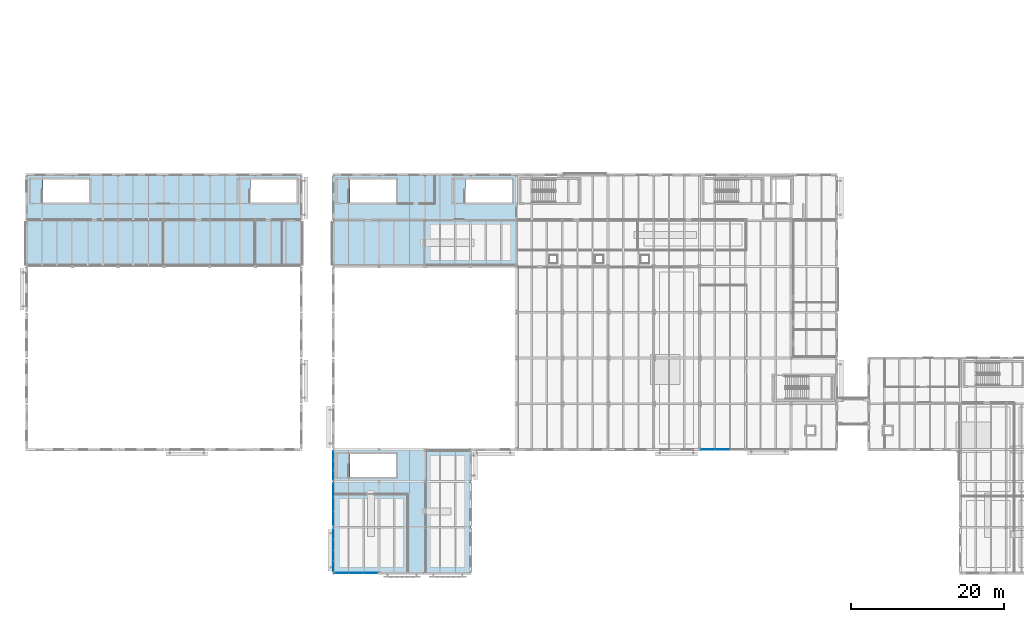
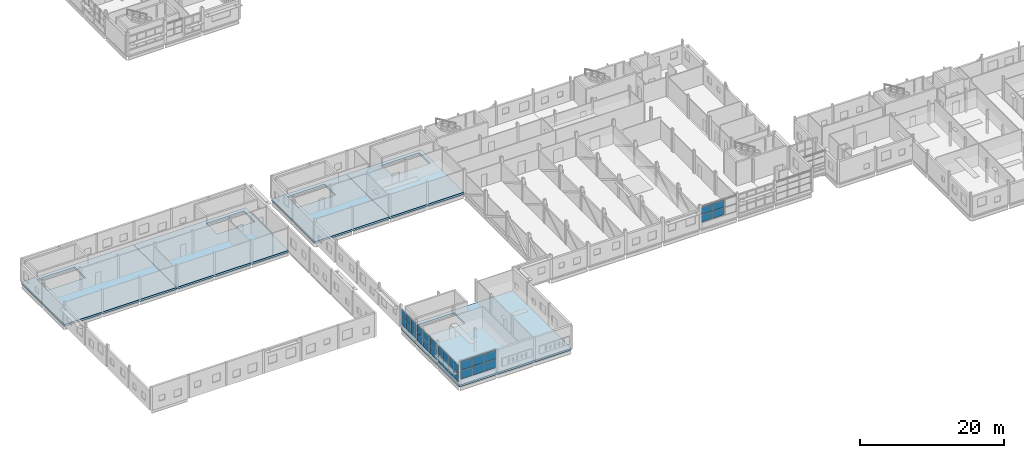
# One storey, part 46 of 92: 30 plates, 5 slabs, 5 elements without a shape of their own.
"""IFC4 building model written with IfcOpenShell, lengths in metres."""

from ifc_helpers import new_model, si_unit, direction, frame, origin, origin_2d, place, context, subcontext, project, spatial, polyline, rectangle, outline, extrude, material, layer, layer_set, type_object, element, aggregate, save


model = new_model("IFC4")

# Units and contexts
model_context = context("Model", 3, precision=1e-05, world=origin(), true_north=direction((0.0, 1.0)))
body_context = subcontext(model_context, "Body", "Model", "MODEL_VIEW")
ifc_project = project(units=[si_unit("LENGTHUNIT", "METRE"), si_unit("AREAUNIT", "SQUARE_METRE"), si_unit("VOLUMEUNIT", "CUBIC_METRE"), si_unit("PLANEANGLEUNIT", "RADIAN"), si_unit("MASSUNIT", "GRAM", prefix="KILO")], contexts=[model_context])

# Site, building, storey
site_placement = place(None, origin())
site = spatial("IfcSite", under=ifc_project, at=site_placement, CompositionType="ELEMENT")
building_placement = place(site_placement, origin())
building = spatial("IfcBuilding", under=site, at=building_placement, Name="Siltcreek Boulevard Central Fire Station", CompositionType="ELEMENT")
storey_placement = place(building_placement, frame((0.0, 0.0, 6.0)))
storey = spatial("IfcBuildingStorey", under=building, at=storey_placement, Name="L02", CompositionType="ELEMENT", Elevation=6.0)

# Curtain wall, plates
ifc_material_1 = material(Name="Anodized aluminum and low-E insulated glazing", Category="aluminium")
curtain_wall_type_1 = type_object("IfcCurtainWallType", Name="CW_SYS_13", PredefinedType="USERDEFINED", material=ifc_material_1)
curtain_wall_1_placement = place(storey_placement, origin())
curtain_wall_1 = element("IfcCurtainWall", 1, at=curtain_wall_1_placement, inside=storey, type_object=curtain_wall_type_1, Name="L02 V1 unitised curtain wall CW-012", ObjectType="CURTAIN WALL", PredefinedType="USERDEFINED")
ifc_material_2 = material(Name="Low-E double insulated glass unit", Category="glass")
ifc_layer_1 = layer(ifc_material_2, 0.028076171875, Name="Low-E double insulated glass unit")
ifc_layer_set_1 = layer_set([ifc_layer_1], Name="Low-E double insulated glass unit")
plate_type_1 = type_object("IfcPlateType", Name="CWP_GLZ_1", PredefinedType="CURTAIN_PANEL", material=ifc_layer_set_1)
plate_1_placement = place(storey_placement, frame((42.0, 6.925048828125, 0.385009765625), z_axis=(0.0, 0.0, 1.0), x_axis=(0.0, -1.0, 0.0)))
plate_1 = element("IfcPlate", 2, at=plate_1_placement, type_object=plate_type_1, Name="CW-012 panel 1.1", PredefinedType="CURTAIN_PANEL", context=body_context, shape_type="SweptSolid", body=[
    extrude(rectangle(XDim=1.330078125, YDim=0.028076171875, at=origin_2d()), origin(), (0.0, 0.0, 1.0), 1.3876953125),
])
plate_2_placement = place(storey_placement, frame((42.0, 6.925048828125, 1.837646484375), z_axis=(0.0, 0.0, 1.0), x_axis=(0.0, -1.0, 0.0)))
plate_2 = element("IfcPlate", 3, at=plate_2_placement, type_object=plate_type_1, Name="CW-012 panel 1.2", PredefinedType="CURTAIN_PANEL", context=body_context, shape_type="SweptSolid", body=[
    extrude(rectangle(XDim=1.330078125, YDim=0.028076171875, at=origin_2d()), origin(), (0.0, 0.0, 1.0), 1.3876953125),
])
plate_3_placement = place(storey_placement, frame((42.0, 5.513671875, 0.385009765625), z_axis=(0.0, 0.0, 1.0), x_axis=(0.0, -1.0, 0.0)))
plate_3 = element("IfcPlate", 4, at=plate_3_placement, type_object=plate_type_1, Name="CW-012 panel 2.1", PredefinedType="CURTAIN_PANEL", context=body_context, shape_type="SweptSolid", body=[
    extrude(rectangle(XDim=1.362548828125, YDim=0.028076171875, at=origin_2d()), origin(), (0.0, 0.0, 1.0), 1.3876953125),
])
plate_4_placement = place(storey_placement, frame((42.0, 5.513671875, 1.837646484375), z_axis=(0.0, 0.0, 1.0), x_axis=(0.0, -1.0, 0.0)))
plate_4 = element("IfcPlate", 5, at=plate_4_placement, type_object=plate_type_1, Name="CW-012 panel 2.2", PredefinedType="CURTAIN_PANEL", context=body_context, shape_type="SweptSolid", body=[
    extrude(rectangle(XDim=1.362548828125, YDim=0.028076171875, at=origin_2d()), origin(), (0.0, 0.0, 1.0), 1.3876953125),
])
plate_5_placement = place(storey_placement, frame((42.0, 4.086181640625, 0.385009765625), z_axis=(0.0, 0.0, 1.0), x_axis=(0.0, -1.0, 0.0)))
plate_5 = element("IfcPlate", 6, at=plate_5_placement, type_object=plate_type_1, Name="CW-012 panel 3.1", PredefinedType="CURTAIN_PANEL", context=body_context, shape_type="SweptSolid", body=[
    extrude(rectangle(XDim=1.362548828125, YDim=0.028076171875, at=origin_2d()), origin(), (0.0, 0.0, 1.0), 1.3876953125),
])
plate_6_placement = place(storey_placement, frame((42.0, 4.086181640625, 1.837646484375), z_axis=(0.0, 0.0, 1.0), x_axis=(0.0, -1.0, 0.0)))
plate_6 = element("IfcPlate", 7, at=plate_6_placement, type_object=plate_type_1, Name="CW-012 panel 3.2", PredefinedType="CURTAIN_PANEL", context=body_context, shape_type="SweptSolid", body=[
    extrude(rectangle(XDim=1.362548828125, YDim=0.028076171875, at=origin_2d()), origin(), (0.0, 0.0, 1.0), 1.3876953125),
])
plate_7_placement = place(storey_placement, frame((42.0, 2.675048828125, 0.385009765625), z_axis=(0.0, 0.0, 1.0), x_axis=(0.0, -1.0, 0.0)))
plate_7 = element("IfcPlate", 8, at=plate_7_placement, type_object=plate_type_1, Name="CW-012 panel 4.1", PredefinedType="CURTAIN_PANEL", context=body_context, shape_type="SweptSolid", body=[
    extrude(rectangle(XDim=1.330078125, YDim=0.028076171875, at=origin_2d()), origin(), (0.0, 0.0, 1.0), 1.3876953125),
])
plate_8_placement = place(storey_placement, frame((42.0, 2.675048828125, 1.837646484375), z_axis=(0.0, 0.0, 1.0), x_axis=(0.0, -1.0, 0.0)))
plate_8 = element("IfcPlate", 9, at=plate_8_placement, type_object=plate_type_1, Name="CW-012 panel 4.2", PredefinedType="CURTAIN_PANEL", context=body_context, shape_type="SweptSolid", body=[
    extrude(rectangle(XDim=1.330078125, YDim=0.028076171875, at=origin_2d()), origin(), (0.0, 0.0, 1.0), 1.3876953125),
])
aggregate(curtain_wall_1, [plate_1, plate_2, plate_3, plate_4, plate_5, plate_6, plate_7, plate_8])

curtain_wall_type_2 = type_object("IfcCurtainWallType", Name="CW_SYS_14", PredefinedType="USERDEFINED", material=ifc_material_1)
curtain_wall_2_placement = place(storey_placement, origin())
curtain_wall_2 = element("IfcCurtainWall", 10, at=curtain_wall_2_placement, inside=storey, type_object=curtain_wall_type_2, Name="L02 V1 unitised curtain wall CW-013", ObjectType="CURTAIN WALL", PredefinedType="USERDEFINED")
ifc_layer_2 = layer(ifc_material_2, 0.0380859375, Name="Low-E double insulated glass unit")
ifc_layer_set_2 = layer_set([ifc_layer_2], Name="Low-E double insulated glass unit")
plate_type_2 = type_object("IfcPlateType", Name="CWP_GLZ_2", PredefinedType="CURTAIN_PANEL", material=ifc_layer_set_2)
plate_9_placement = place(storey_placement, frame((42.0, 12.688232421875, 0.5), z_axis=(0.0, 0.0, 1.0), x_axis=(0.0, -1.0, 0.0)))
plate_9 = element("IfcPlate", 11, at=plate_9_placement, type_object=plate_type_2, Name="CW-013 panel 1.1", PredefinedType="CURTAIN_PANEL", context=body_context, shape_type="SweptSolid", body=[
    extrude(rectangle(XDim=1.813232421875, YDim=0.0380859375, at=origin_2d()), origin(), (0.0, 0.0, 1.0), 1.335205078125),
])
plate_10_placement = place(storey_placement, frame((42.0, 12.688232421875, 1.89501953125), z_axis=(0.0, 0.0, 1.0), x_axis=(0.0, -1.0, 0.0)))
plate_10 = element("IfcPlate", 12, at=plate_10_placement, type_object=plate_type_2, Name="CW-013 panel 1.2", PredefinedType="CURTAIN_PANEL", context=body_context, shape_type="SweptSolid", body=[
    extrude(rectangle(XDim=1.813232421875, YDim=0.0380859375, at=origin_2d()), origin(), (0.0, 0.0, 1.0), 1.335205078125),
])
plate_11_placement = place(storey_placement, frame((42.0, 10.800048828125, 0.5), z_axis=(0.0, 0.0, 1.0), x_axis=(0.0, -1.0, 0.0)))
plate_11 = element("IfcPlate", 13, at=plate_11_placement, type_object=plate_type_2, Name="CW-013 panel 2.1", PredefinedType="CURTAIN_PANEL", context=body_context, shape_type="SweptSolid", body=[
    extrude(rectangle(XDim=1.84326171875, YDim=0.0380859375, at=origin_2d()), origin(), (0.0, 0.0, 1.0), 1.335205078125),
])
plate_12_placement = place(storey_placement, frame((42.0, 10.800048828125, 1.89501953125), z_axis=(0.0, 0.0, 1.0), x_axis=(0.0, -1.0, 0.0)))
plate_12 = element("IfcPlate", 14, at=plate_12_placement, type_object=plate_type_2, Name="CW-013 panel 2.2", PredefinedType="CURTAIN_PANEL", context=body_context, shape_type="SweptSolid", body=[
    extrude(rectangle(XDim=1.84326171875, YDim=0.0380859375, at=origin_2d()), origin(), (0.0, 0.0, 1.0), 1.335205078125),
])
plate_13_placement = place(storey_placement, frame((42.0, 8.91162109375, 0.5), z_axis=(0.0, 0.0, 1.0), x_axis=(0.0, -1.0, 0.0)))
plate_13 = element("IfcPlate", 15, at=plate_13_placement, type_object=plate_type_2, Name="CW-013 panel 3.1", PredefinedType="CURTAIN_PANEL", context=body_context, shape_type="SweptSolid", body=[
    extrude(rectangle(XDim=1.813232421875, YDim=0.0380859375, at=origin_2d()), origin(), (0.0, 0.0, 1.0), 1.335205078125),
])
plate_14_placement = place(storey_placement, frame((42.0, 8.91162109375, 1.89501953125), z_axis=(0.0, 0.0, 1.0), x_axis=(0.0, -1.0, 0.0)))
plate_14 = element("IfcPlate", 16, at=plate_14_placement, type_object=plate_type_2, Name="CW-013 panel 3.2", PredefinedType="CURTAIN_PANEL", context=body_context, shape_type="SweptSolid", body=[
    extrude(rectangle(XDim=1.813232421875, YDim=0.0380859375, at=origin_2d()), origin(), (0.0, 0.0, 1.0), 1.335205078125),
])
aggregate(curtain_wall_2, [plate_9, plate_10, plate_11, plate_12, plate_13, plate_14])

curtain_wall_type_3 = type_object("IfcCurtainWallType", Name="CW_SYS_12", PredefinedType="USERDEFINED", material=ifc_material_1)
curtain_wall_3_placement = place(storey_placement, origin())
curtain_wall_3 = element("IfcCurtainWall", 17, at=curtain_wall_3_placement, inside=storey, type_object=curtain_wall_type_3, Name="L02 V1 unitised curtain wall CW-011", ObjectType="CURTAIN WALL", PredefinedType="USERDEFINED")
ifc_layer_3 = layer(ifc_material_2, 0.048095703125, Name="Low-E double insulated glass unit")
ifc_layer_set_3 = layer_set([ifc_layer_3], Name="Low-E double insulated glass unit")
plate_type_3 = type_object("IfcPlateType", Name="CWP_GLZ_3", PredefinedType="CURTAIN_PANEL", material=ifc_layer_set_3)
plate_15_placement = place(storey_placement, frame((43.111572265625, 1.800048828125, 0.97998046875), z_axis=(0.0, 0.0, 1.0), x_axis=(1.0, 0.0, 0.0)))
plate_15 = element("IfcPlate", 18, at=plate_15_placement, type_object=plate_type_3, Name="CW-011 panel 1.1", PredefinedType="CURTAIN_PANEL", context=body_context, shape_type="SweptSolid", body=[
    extrude(rectangle(XDim=1.813232421875, YDim=0.048095703125, at=origin_2d()), origin(), (0.0, 0.0, 1.0), 1.449951171875),
])
plate_16_placement = place(storey_placement, frame((43.111572265625, 1.800048828125, 2.490234375), z_axis=(0.0, 0.0, 1.0), x_axis=(1.0, 0.0, 0.0)))
plate_16 = element("IfcPlate", 19, at=plate_16_placement, type_object=plate_type_3, Name="CW-011 panel 1.2", PredefinedType="CURTAIN_PANEL", context=body_context, shape_type="SweptSolid", body=[
    extrude(rectangle(XDim=1.813232421875, YDim=0.048095703125, at=origin_2d()), origin(), (0.0, 0.0, 1.0), 1.449951171875),
])
plate_17_placement = place(storey_placement, frame((45.0, 1.800048828125, 0.97998046875), z_axis=(0.0, 0.0, 1.0), x_axis=(1.0, 0.0, 0.0)))
plate_17 = element("IfcPlate", 20, at=plate_17_placement, type_object=plate_type_3, Name="CW-011 panel 2.1", PredefinedType="CURTAIN_PANEL", context=body_context, shape_type="SweptSolid", body=[
    extrude(rectangle(XDim=1.84326171875, YDim=0.048095703125, at=origin_2d()), origin(), (0.0, 0.0, 1.0), 1.449951171875),
])
plate_18_placement = place(storey_placement, frame((45.0, 1.800048828125, 2.490234375), z_axis=(0.0, 0.0, 1.0), x_axis=(1.0, 0.0, 0.0)))
plate_18 = element("IfcPlate", 21, at=plate_18_placement, type_object=plate_type_3, Name="CW-011 panel 2.2", PredefinedType="CURTAIN_PANEL", context=body_context, shape_type="SweptSolid", body=[
    extrude(rectangle(XDim=1.84326171875, YDim=0.048095703125, at=origin_2d()), origin(), (0.0, 0.0, 1.0), 1.449951171875),
])
plate_19_placement = place(storey_placement, frame((46.888427734375, 1.800048828125, 0.97998046875), z_axis=(0.0, 0.0, 1.0), x_axis=(1.0, 0.0, 0.0)))
plate_19 = element("IfcPlate", 22, at=plate_19_placement, type_object=plate_type_3, Name="CW-011 panel 3.1", PredefinedType="CURTAIN_PANEL", context=body_context, shape_type="SweptSolid", body=[
    extrude(rectangle(XDim=1.813232421875, YDim=0.048095703125, at=origin_2d()), origin(), (0.0, 0.0, 1.0), 1.449951171875),
])
plate_20_placement = place(storey_placement, frame((46.888427734375, 1.800048828125, 2.490234375), z_axis=(0.0, 0.0, 1.0), x_axis=(1.0, 0.0, 0.0)))
plate_20 = element("IfcPlate", 23, at=plate_20_placement, type_object=plate_type_3, Name="CW-011 panel 3.2", PredefinedType="CURTAIN_PANEL", context=body_context, shape_type="SweptSolid", body=[
    extrude(rectangle(XDim=1.813232421875, YDim=0.048095703125, at=origin_2d()), origin(), (0.0, 0.0, 1.0), 1.449951171875),
])
aggregate(curtain_wall_3, [plate_15, plate_16, plate_17, plate_18, plate_19, plate_20])

curtain_wall_type_4 = type_object("IfcCurtainWallType", Name="CW_SYS_15", PredefinedType="USERDEFINED", material=ifc_material_1)
curtain_wall_4_placement = place(storey_placement, origin())
curtain_wall_4 = element("IfcCurtainWall", 24, at=curtain_wall_4_placement, inside=storey, type_object=curtain_wall_type_4, Name="L02 V1 unitised curtain wall CW-014", ObjectType="CURTAIN WALL", PredefinedType="USERDEFINED")
plate_21_placement = place(storey_placement, frame((42.0, 17.18701171875, 0.625), z_axis=(0.0, 0.0, 1.0), x_axis=(0.0, -1.0, 0.0)))
plate_21 = element("IfcPlate", 25, at=plate_21_placement, type_object=plate_type_3, Name="CW-014 panel 1.1", PredefinedType="CURTAIN_PANEL", context=body_context, shape_type="SweptSolid", body=[
    extrude(rectangle(XDim=1.205810546875, YDim=0.048095703125, at=origin_2d()), origin(), (0.0, 0.0, 1.0), 1.267578125),
])
plate_22_placement = place(storey_placement, frame((42.0, 17.18701171875, 1.957763671875), z_axis=(0.0, 0.0, 1.0), x_axis=(0.0, -1.0, 0.0)))
plate_22 = element("IfcPlate", 26, at=plate_22_placement, type_object=plate_type_3, Name="CW-014 panel 1.2", PredefinedType="CURTAIN_PANEL", context=body_context, shape_type="SweptSolid", body=[
    extrude(rectangle(XDim=1.205810546875, YDim=0.048095703125, at=origin_2d()), origin(), (0.0, 0.0, 1.0), 1.267578125),
])
plate_23_placement = place(storey_placement, frame((42.0, 15.89990234375, 0.625), z_axis=(0.0, 0.0, 1.0), x_axis=(0.0, -1.0, 0.0)))
plate_23 = element("IfcPlate", 27, at=plate_23_placement, type_object=plate_type_3, Name="CW-014 panel 2.1", PredefinedType="CURTAIN_PANEL", context=body_context, shape_type="SweptSolid", body=[
    extrude(rectangle(XDim=1.23828125, YDim=0.048095703125, at=origin_2d()), origin(), (0.0, 0.0, 1.0), 1.267578125),
])
plate_24_placement = place(storey_placement, frame((42.0, 15.89990234375, 1.957763671875), z_axis=(0.0, 0.0, 1.0), x_axis=(0.0, -1.0, 0.0)))
plate_24 = element("IfcPlate", 28, at=plate_24_placement, type_object=plate_type_3, Name="CW-014 panel 2.2", PredefinedType="CURTAIN_PANEL", context=body_context, shape_type="SweptSolid", body=[
    extrude(rectangle(XDim=1.23828125, YDim=0.048095703125, at=origin_2d()), origin(), (0.0, 0.0, 1.0), 1.267578125),
])
plate_25_placement = place(storey_placement, frame((42.0, 14.613037109375, 0.625), z_axis=(0.0, 0.0, 1.0), x_axis=(0.0, -1.0, 0.0)))
plate_25 = element("IfcPlate", 29, at=plate_25_placement, type_object=plate_type_3, Name="CW-014 panel 3.1", PredefinedType="CURTAIN_PANEL", context=body_context, shape_type="SweptSolid", body=[
    extrude(rectangle(XDim=1.205810546875, YDim=0.048095703125, at=origin_2d()), origin(), (0.0, 0.0, 1.0), 1.267578125),
])
plate_26_placement = place(storey_placement, frame((42.0, 14.613037109375, 1.957763671875), z_axis=(0.0, 0.0, 1.0), x_axis=(0.0, -1.0, 0.0)))
plate_26 = element("IfcPlate", 30, at=plate_26_placement, type_object=plate_type_3, Name="CW-014 panel 3.2", PredefinedType="CURTAIN_PANEL", context=body_context, shape_type="SweptSolid", body=[
    extrude(rectangle(XDim=1.205810546875, YDim=0.048095703125, at=origin_2d()), origin(), (0.0, 0.0, 1.0), 1.267578125),
])
aggregate(curtain_wall_4, [plate_21, plate_22, plate_23, plate_24, plate_25, plate_26])

curtain_wall_type_5 = type_object("IfcCurtainWallType", Name="CW_SYS_24", PredefinedType="USERDEFINED", material=ifc_material_1)
curtain_wall_5_placement = place(storey_placement, origin())
curtain_wall_5 = element("IfcCurtainWall", 31, at=curtain_wall_5_placement, inside=storey, type_object=curtain_wall_type_5, Name="L02 V2 unitised curtain wall CW-023", ObjectType="CURTAIN WALL", PredefinedType="USERDEFINED")
plate_27_placement = place(storey_placement, frame((91.111572265625, 18.0, 0.97998046875), z_axis=(0.0, 0.0, 1.0), x_axis=(1.0, 0.0, 0.0)))
plate_27 = element("IfcPlate", 32, at=plate_27_placement, type_object=plate_type_3, Name="CW-023 panel 1.1", PredefinedType="CURTAIN_PANEL", context=body_context, shape_type="SweptSolid", body=[
    extrude(rectangle(XDim=1.813232421875, YDim=0.048095703125, at=origin_2d()), origin(), (0.0, 0.0, 1.0), 1.259521484375),
])
plate_28_placement = place(storey_placement, frame((91.111572265625, 18.0, 2.29931640625), z_axis=(0.0, 0.0, 1.0), x_axis=(1.0, 0.0, 0.0)))
plate_28 = element("IfcPlate", 33, at=plate_28_placement, type_object=plate_type_3, Name="CW-023 panel 1.2", PredefinedType="CURTAIN_PANEL", context=body_context, shape_type="SweptSolid", body=[
    extrude(rectangle(XDim=1.813232421875, YDim=0.048095703125, at=origin_2d()), origin(), (0.0, 0.0, 1.0), 1.259521484375),
])
plate_29_placement = place(storey_placement, frame((93.0, 18.0, 0.97998046875), z_axis=(0.0, 0.0, 1.0), x_axis=(1.0, 0.0, 0.0)))
plate_29 = element("IfcPlate", 34, at=plate_29_placement, type_object=plate_type_3, Name="CW-023 panel 2.1", PredefinedType="CURTAIN_PANEL", context=body_context, shape_type="SweptSolid", body=[
    extrude(rectangle(XDim=1.84326171875, YDim=0.048095703125, at=origin_2d()), origin(), (0.0, 0.0, 1.0), 1.259521484375),
])
plate_30_placement = place(storey_placement, frame((93.0, 18.0, 2.29931640625), z_axis=(0.0, 0.0, 1.0), x_axis=(1.0, 0.0, 0.0)))
plate_30 = element("IfcPlate", 35, at=plate_30_placement, type_object=plate_type_3, Name="CW-023 panel 2.2", PredefinedType="CURTAIN_PANEL", context=body_context, shape_type="SweptSolid", body=[
    extrude(rectangle(XDim=1.84326171875, YDim=0.048095703125, at=origin_2d()), origin(), (0.0, 0.0, 1.0), 1.259521484375),
])
aggregate(curtain_wall_5, [plate_27, plate_28, plate_29, plate_30])

# Slabs
ifc_material_3 = material(Name="Concrete C35/45", Category="concrete")
ifc_layer_4 = layer(ifc_material_3, 0.320068359375, Name="Concrete C35/45")
ifc_layer_set_4 = layer_set([ifc_layer_4], Name="Concrete C35/45")
slab_type = type_object("IfcSlabType", Name="SL_FLR320", PredefinedType="FLOOR", material=ifc_layer_set_4)
slab_1_placement = place(storey_placement, frame((0.0, 0.0, -0.320068359375)))
element("IfcSlab", 36, at=slab_1_placement, inside=storey, type_object=slab_type, Name="L02 V1 structural floor slab SL-019", PredefinedType="FLOOR", context=body_context, shape_type="SweptSolid", body=[
    extrude(outline(polyline([(42.0, 54.0), (54.0, 54.0), (54.0, 42.0), (42.0, 42.0), (42.0, 54.0)]), holes=[polyline([(50.199951171875, 50.39990234375), (50.199951171875, 53.39990234375), (44.159912109375, 53.39990234375), (44.159912109375, 50.39990234375), (50.199951171875, 50.39990234375)])]), origin(), (0.0, 0.0, 1.0), 0.320068359375),
])
slab_2_placement = place(storey_placement, frame((0.0, 0.0, -0.320068359375)))
element("IfcSlab", 37, at=slab_2_placement, inside=storey, type_object=slab_type, Name="L02 V1 structural floor slab SL-020", PredefinedType="FLOOR", context=body_context, shape_type="SweptSolid", body=[
    extrude(outline(polyline([(54.0, 54.0), (66.0, 54.0), (66.0, 42.0), (54.0, 42.0), (54.0, 54.0)]), holes=[polyline([(59.360107421875, 50.39990234375), (65.39990234375, 50.39990234375), (65.39990234375, 53.39990234375), (59.360107421875, 53.39990234375), (59.360107421875, 50.39990234375)])]), origin(), (0.0, 0.0, 1.0), 0.320068359375),
])
slab_3_placement = place(storey_placement, frame((0.0, 0.0, -0.320068359375)))
element("IfcSlab", 38, at=slab_3_placement, inside=storey, type_object=slab_type, Name="L02 V1 structural floor slab SL-021", PredefinedType="FLOOR", context=body_context, shape_type="SweptSolid", body=[
    extrude(outline(polyline([(42.0, 18.0), (60.0, 18.0), (60.0, 1.800048828125), (42.0, 1.800048828125), (42.0, 18.0)]), holes=[polyline([(50.199951171875, 14.39990234375), (50.199951171875, 17.39990234375), (44.159912109375, 17.39990234375), (44.159912109375, 14.39990234375), (50.199951171875, 14.39990234375)])]), origin(), (0.0, 0.0, 1.0), 0.320068359375),
])
slab_4_placement = place(storey_placement, frame((0.0, 0.0, -0.320068359375)))
element("IfcSlab", 39, at=slab_4_placement, inside=storey, type_object=slab_type, Name="L02 V4 structural floor slab SL-026", PredefinedType="FLOOR", context=body_context, shape_type="SweptSolid", body=[
    extrude(outline(polyline([(1.800048828125, 54.0), (19.800048828125, 54.0), (19.800048828125, 42.0), (1.800048828125, 42.0), (1.800048828125, 54.0)]), holes=[polyline([(3.9599609375, 50.39990234375), (10.0, 50.39990234375), (10.0, 53.39990234375), (3.9599609375, 53.39990234375), (3.9599609375, 50.39990234375)])]), origin(), (0.0, 0.0, 1.0), 0.320068359375),
])
slab_5_placement = place(storey_placement, frame((0.0, 0.0, -0.320068359375)))
element("IfcSlab", 40, at=slab_5_placement, inside=storey, type_object=slab_type, Name="L02 V4 structural floor slab SL-027", PredefinedType="FLOOR", context=body_context, shape_type="SweptSolid", body=[
    extrude(outline(polyline([(19.800048828125, 54.0), (37.800048828125, 54.0), (37.800048828125, 42.0), (19.800048828125, 42.0), (19.800048828125, 54.0)]), holes=[polyline([(31.159912109375, 50.39990234375), (37.199951171875, 50.39990234375), (37.199951171875, 53.39990234375), (31.159912109375, 53.39990234375), (31.159912109375, 50.39990234375)])]), origin(), (0.0, 0.0, 1.0), 0.320068359375),
])

save(model, "model.ifc")
